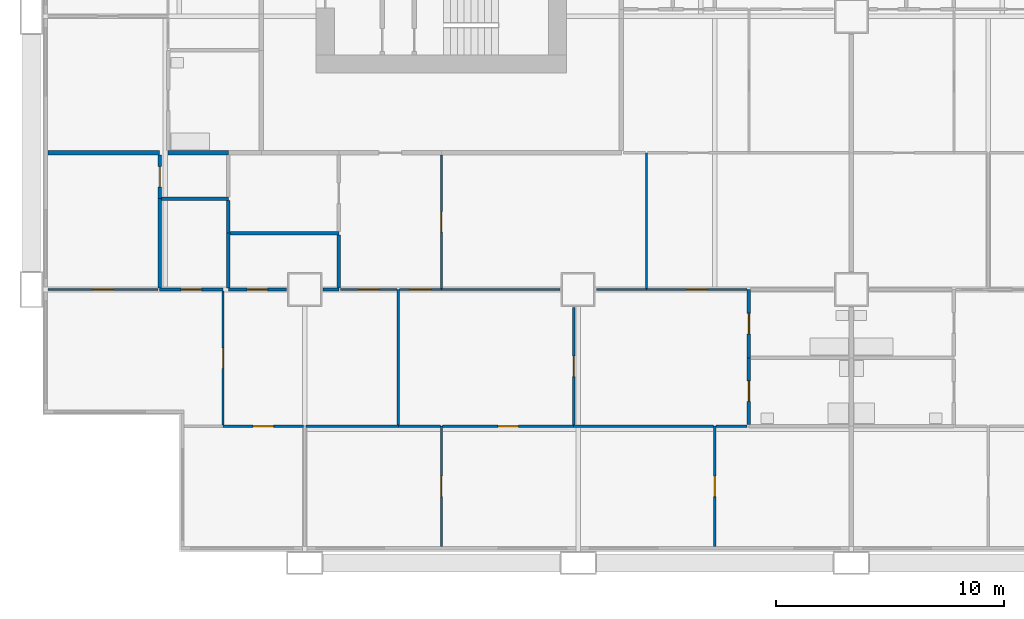
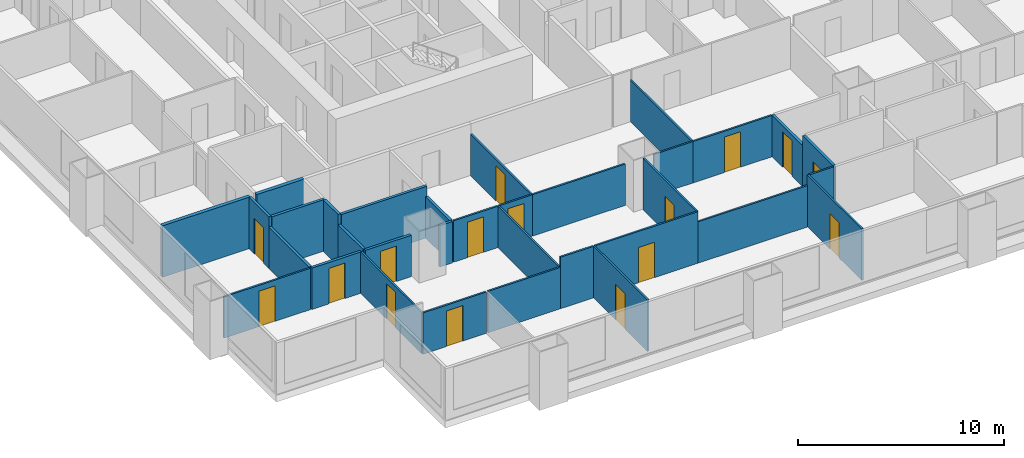
# One storey, part 2 of 14: 33 walls, 16 doors, 16 openings.
"""IFC4 building model written with IfcOpenShell, lengths in metres."""

from ifc_helpers import new_model, si_unit, direction, frame, frame_2d, origin, place, context, subcontext, project, spatial, rectangle, extrude, material, layer, layer_set, type_object, element, fill, save


model = new_model("IFC4")

# Units and contexts
model_context = context("Model", 3, precision=1e-05, world=origin(), true_north=direction((0.0, 1.0)))
body_context = subcontext(model_context, "Body", "Model", "MODEL_VIEW")
ifc_project = project(units=[si_unit("LENGTHUNIT", "METRE"), si_unit("AREAUNIT", "SQUARE_METRE"), si_unit("VOLUMEUNIT", "CUBIC_METRE"), si_unit("PLANEANGLEUNIT", "RADIAN"), si_unit("MASSUNIT", "GRAM", prefix="KILO")], contexts=[model_context])

# Site, building, storey
site_placement = place(None, origin())
site = spatial("IfcSite", under=ifc_project, at=site_placement, CompositionType="ELEMENT")
building_placement = place(site_placement, origin())
building = spatial("IfcBuilding", under=site, at=building_placement, Name="Kitamizu Gate Tower and Museum", CompositionType="ELEMENT")
storey_placement = place(building_placement, frame((0.0, 0.0, 61.050048828125)))
storey = spatial("IfcBuildingStorey", under=building, at=storey_placement, Name="L14", CompositionType="ELEMENT", Elevation=61.050048828125)

# Wall, opening, door
ifc_material_1 = material(Name="Gypsum board on galvanised stud")
ifc_layer_1 = layer(ifc_material_1, 0.10009765625)
ifc_layer_set_1 = layer_set([ifc_layer_1], Name="Gypsum board on galvanised stud")
wall_type_1 = type_object("IfcWallType", Name="Partition 100 NOT RATED", PredefinedType="PARTITIONING", material=ifc_layer_set_1)
wall_1_placement = place(storey_placement, frame((11.949951171875, 6.0, 0.0), z_axis=(0.0, 0.0, 1.0), x_axis=(-1.0, 0.0, 0.0)))
wall_1 = element("IfcWall", 1, at=wall_1_placement, inside=storey, type_object=wall_type_1, Name="Partition L14-003", PredefinedType="PARTITIONING", context=body_context, shape_type="SweptSolid", body=[
    extrude(rectangle(XDim=3.534912109375, YDim=0.10009765625, at=frame_2d((1.767578125, 0.0))), origin(), (0.0, 0.0, 1.0), 2.449951171875),
])
opening_1_placement = place(wall_1_placement, frame((1.3173828125, 0.0, 0.0)))
opening_1 = element("IfcOpeningElement", 2, at=opening_1_placement, cuts=wall_1, Name="Opening L14-008", PredefinedType="OPENING", context=body_context, shape_type="SweptSolid", body=[
    extrude(rectangle(XDim=0.89990234375, YDim=2.10009765625, at=frame_2d((0.449951171875, 1.050048828125))), frame((0.0, 0.06005859375, 0.0), z_axis=(0.0, -1.0, 0.0), x_axis=(1.0, 0.0, 0.0)), (0.0, 0.0, 1.0), 0.1201171875),
])
ifc_material_2 = material(Name="Timber door set", Category="wood")
door_type_1 = type_object("IfcDoorType", Name="Room door 900", OperationType="NOTDEFINED", PredefinedType="DOOR", material=ifc_material_2)
door_1_placement = place(opening_1_placement, origin())
door_1 = element("IfcDoor", 3, at=door_1_placement, inside=storey, type_object=door_type_1, Name="Door L14-008", OperationType="SINGLE_SWING_RIGHT", OverallHeight=2.10009765625, OverallWidth=0.89990234375, PredefinedType="DOOR", context=body_context, shape_type="SweptSolid", body=[
    extrude(rectangle(XDim=0.89990234375, YDim=2.10009765625, at=frame_2d((0.449951171875, 1.050048828125))), frame((0.0, 0.02490234375, 0.0), z_axis=(0.0, -1.0, 0.0), x_axis=(1.0, 0.0, 0.0)), (0.0, 0.0, 1.0), 0.050048828125),
])
fill(opening_1, door_1)

wall_2_placement = place(storey_placement, frame((18.0, 0.719970703125, 0.0), z_axis=(0.0, 0.0, 1.0), x_axis=(0.0, 1.0, 0.0)))
wall_2 = element("IfcWall", 4, at=wall_2_placement, inside=storey, type_object=wall_type_1, Name="Partition L14-004", PredefinedType="PARTITIONING", context=body_context, shape_type="SweptSolid", body=[
    extrude(rectangle(XDim=5.280029296875, YDim=0.10009765625, at=frame_2d((2.64013671875, 0.0))), origin(), (0.0, 0.0, 1.0), 3.050048828125),
])
opening_2_placement = place(wall_2_placement, frame((2.18994140625, 0.0, 0.0)))
opening_2 = element("IfcOpeningElement", 5, at=opening_2_placement, cuts=wall_2, Name="Opening L14-009", PredefinedType="OPENING", context=body_context, shape_type="SweptSolid", body=[
    extrude(rectangle(XDim=0.89990234375, YDim=2.10009765625, at=frame_2d((0.449951171875, 1.050048828125))), frame((0.0, 0.06005859375, 0.0), z_axis=(0.0, -1.0, 0.0), x_axis=(1.0, 0.0, 0.0)), (0.0, 0.0, 1.0), 0.1201171875),
])
door_2_placement = place(opening_2_placement, origin())
door_2 = element("IfcDoor", 6, at=door_2_placement, inside=storey, type_object=door_type_1, Name="Door L14-009", OperationType="SINGLE_SWING_LEFT", OverallHeight=2.10009765625, OverallWidth=0.89990234375, PredefinedType="DOOR", context=body_context, shape_type="SweptSolid", body=[
    extrude(rectangle(XDim=0.89990234375, YDim=2.10009765625, at=frame_2d((0.449951171875, 1.050048828125))), frame((0.0, 0.02490234375, 0.0), z_axis=(0.0, -1.0, 0.0), x_axis=(1.0, 0.0, 0.0)), (0.0, 0.0, 1.0), 0.050048828125),
])
fill(opening_2, door_2)

# Walls
wall_3_placement = place(storey_placement, frame((16.110107421875, 6.0, 0.0), z_axis=(0.0, 0.0, 1.0), x_axis=(-1.0, 0.0, 0.0)))
element("IfcWall", 7, at=wall_3_placement, inside=storey, type_object=wall_type_1, Name="Partition L14-005", PredefinedType="PARTITIONING", context=body_context, shape_type="SweptSolid", body=[
    extrude(rectangle(XDim=4.06005859375, YDim=0.10009765625, at=frame_2d((2.030029296875, 0.0))), origin(), (0.0, 0.0, 1.0), 2.449951171875),
])
wall_4_placement = place(storey_placement, frame((17.949951171875, 6.0, 0.0), z_axis=(0.0, 0.0, 1.0), x_axis=(-1.0, 0.0, 0.0)))
element("IfcWall", 8, at=wall_4_placement, inside=storey, type_object=wall_type_1, Name="Partition L14-006", PredefinedType="PARTITIONING", context=body_context, shape_type="SweptSolid", body=[
    extrude(rectangle(XDim=1.83984375, YDim=0.10009765625, at=frame_2d((0.919921875, 0.0))), origin(), (0.0, 0.0, 1.0), 3.050048828125),
])

# Wall, opening, door
wall_5_placement = place(storey_placement, frame((30.0, 0.719970703125, 0.0), z_axis=(0.0, 0.0, 1.0), x_axis=(0.0, 1.0, 0.0)))
wall_5 = element("IfcWall", 9, at=wall_5_placement, inside=storey, type_object=wall_type_1, Name="Partition L14-007", PredefinedType="PARTITIONING", context=body_context, shape_type="SweptSolid", body=[
    extrude(rectangle(XDim=5.280029296875, YDim=0.10009765625, at=frame_2d((2.64013671875, 0.0))), origin(), (0.0, 0.0, 1.0), 3.050048828125),
])
opening_3_placement = place(wall_5_placement, frame((2.18994140625, 0.0, 0.0)))
opening_3 = element("IfcOpeningElement", 10, at=opening_3_placement, cuts=wall_5, Name="Opening L14-010", PredefinedType="OPENING", context=body_context, shape_type="SweptSolid", body=[
    extrude(rectangle(XDim=0.89990234375, YDim=2.10009765625, at=frame_2d((0.449951171875, 1.050048828125))), frame((0.0, 0.06005859375, 0.0), z_axis=(0.0, -1.0, 0.0), x_axis=(1.0, 0.0, 0.0)), (0.0, 0.0, 1.0), 0.1201171875),
])
door_3_placement = place(opening_3_placement, frame((0.89990234375, 0.0, 0.0), x_axis=(-1.0, 0.0, 0.0)))
door_3 = element("IfcDoor", 11, at=door_3_placement, inside=storey, type_object=door_type_1, Name="Door L14-010", OperationType="SINGLE_SWING_LEFT", OverallHeight=2.10009765625, OverallWidth=0.89990234375, PredefinedType="DOOR", context=body_context, shape_type="SweptSolid", body=[
    extrude(rectangle(XDim=0.89990234375, YDim=2.10009765625, at=frame_2d((0.449951171875, 1.050048828125))), frame((0.0, 0.02490234375, 0.0), z_axis=(0.0, -1.0, 0.0), x_axis=(1.0, 0.0, 0.0)), (0.0, 0.0, 1.0), 0.050048828125),
])
fill(opening_3, door_3)

wall_6_placement = place(storey_placement, frame((23.804931640625, 6.0, 0.0), z_axis=(0.0, 0.0, 1.0), x_axis=(-1.0, 0.0, 0.0)))
wall_6 = element("IfcWall", 12, at=wall_6_placement, inside=storey, type_object=wall_type_1, Name="Partition L14-008", PredefinedType="PARTITIONING", context=body_context, shape_type="SweptSolid", body=[
    extrude(rectangle(XDim=5.7548828125, YDim=0.10009765625, at=frame_2d((2.87744140625, 0.0))), origin(), (0.0, 0.0, 1.0), 3.050048828125),
])
opening_4_placement = place(wall_6_placement, frame((2.427490234375, 0.0, 0.0)))
opening_4 = element("IfcOpeningElement", 13, at=opening_4_placement, cuts=wall_6, Name="Opening L14-005", PredefinedType="OPENING", context=body_context, shape_type="SweptSolid", body=[
    extrude(rectangle(XDim=0.89990234375, YDim=2.10009765625, at=frame_2d((0.449951171875, 1.050048828125))), frame((0.0, 0.06005859375, 0.0), z_axis=(0.0, -1.0, 0.0), x_axis=(1.0, 0.0, 0.0)), (0.0, 0.0, 1.0), 0.1201171875),
])
door_4_placement = place(opening_4_placement, frame((0.89990234375, 0.0, 0.0), x_axis=(-1.0, 0.0, 0.0)))
door_4 = element("IfcDoor", 14, at=door_4_placement, inside=storey, type_object=door_type_1, Name="Door L14-005", OperationType="SINGLE_SWING_LEFT", OverallHeight=2.10009765625, OverallWidth=0.89990234375, PredefinedType="DOOR", context=body_context, shape_type="SweptSolid", body=[
    extrude(rectangle(XDim=0.89990234375, YDim=2.10009765625, at=frame_2d((0.449951171875, 1.050048828125))), frame((0.0, 0.02490234375, 0.0), z_axis=(0.0, -1.0, 0.0), x_axis=(1.0, 0.0, 0.0)), (0.0, 0.0, 1.0), 0.050048828125),
])
fill(opening_4, door_4)

# Walls
wall_7_placement = place(storey_placement, frame((29.949951171875, 6.0, 0.0), z_axis=(0.0, 0.0, 1.0), x_axis=(-1.0, 0.0, 0.0)))
element("IfcWall", 15, at=wall_7_placement, inside=storey, type_object=wall_type_1, Name="Partition L14-009", PredefinedType="PARTITIONING", context=body_context, shape_type="SweptSolid", body=[
    extrude(rectangle(XDim=6.14501953125, YDim=0.10009765625, at=frame_2d((3.072509765625, 0.0))), origin(), (0.0, 0.0, 1.0), 2.449951171875),
])
wall_8_placement = place(storey_placement, frame((31.425048828125, 6.0, 0.0), z_axis=(0.0, 0.0, 1.0), x_axis=(-1.0, 0.0, 0.0)))
element("IfcWall", 16, at=wall_8_placement, inside=storey, type_object=wall_type_1, Name="Partition L14-010", PredefinedType="PARTITIONING", context=body_context, shape_type="SweptSolid", body=[
    extrude(rectangle(XDim=1.375, YDim=0.10009765625, at=frame_2d((0.6875, 0.0))), origin(), (0.0, 0.0, 1.0), 3.050048828125),
])

# Wall, opening, door
wall_9_placement = place(storey_placement, frame((8.4150390625, 6.050048828125, 0.0), z_axis=(0.0, 0.0, 1.0), x_axis=(0.0, 1.0, 0.0)))
wall_9 = element("IfcWall", 17, at=wall_9_placement, inside=storey, type_object=wall_type_1, Name="Partition L14-013", PredefinedType="PARTITIONING", context=body_context, shape_type="SweptSolid", body=[
    extrude(rectangle(XDim=5.875, YDim=0.10009765625, at=frame_2d((2.9375, 0.0))), origin(), (0.0, 0.0, 1.0), 2.449951171875),
])
opening_5_placement = place(wall_9_placement, frame((2.487548828125, 0.0, 0.0)))
opening_5 = element("IfcOpeningElement", 18, at=opening_5_placement, cuts=wall_9, Name="Opening L14-004", PredefinedType="OPENING", context=body_context, shape_type="SweptSolid", body=[
    extrude(rectangle(XDim=0.89990234375, YDim=2.10009765625, at=frame_2d((0.449951171875, 1.050048828125))), frame((0.0, 0.06005859375, 0.0), z_axis=(0.0, -1.0, 0.0), x_axis=(1.0, 0.0, 0.0)), (0.0, 0.0, 1.0), 0.1201171875),
])
door_5_placement = place(opening_5_placement, frame((0.89990234375, 0.0, 0.0), x_axis=(-1.0, 0.0, 0.0)))
door_5 = element("IfcDoor", 19, at=door_5_placement, inside=storey, type_object=door_type_1, Name="Door L14-004", OperationType="SINGLE_SWING_RIGHT", OverallHeight=2.10009765625, OverallWidth=0.89990234375, PredefinedType="DOOR", context=body_context, shape_type="SweptSolid", body=[
    extrude(rectangle(XDim=0.89990234375, YDim=2.10009765625, at=frame_2d((0.449951171875, 1.050048828125))), frame((0.0, 0.02490234375, 0.0), z_axis=(0.0, -1.0, 0.0), x_axis=(1.0, 0.0, 0.0)), (0.0, 0.0, 1.0), 0.050048828125),
])
fill(opening_5, door_5)

wall_10_placement = place(storey_placement, frame((5.55810546875, 12.0, 0.0), z_axis=(0.0, 0.0, 1.0), x_axis=(-1.0, 0.0, 0.0)))
wall_10 = element("IfcWall", 20, at=wall_10_placement, inside=storey, type_object=wall_type_1, Name="Partition L14-014", PredefinedType="PARTITIONING", context=body_context, shape_type="SweptSolid", body=[
    extrude(rectangle(XDim=4.838134765625, YDim=0.10009765625, at=frame_2d((2.4189453125, 0.0))), origin(), (0.0, 0.0, 1.0), 2.449951171875),
])
opening_6_placement = place(wall_10_placement, frame((1.968994140625, 0.0, 0.0)))
opening_6 = element("IfcOpeningElement", 21, at=opening_6_placement, cuts=wall_10, Name="Opening L14-012", PredefinedType="OPENING", context=body_context, shape_type="SweptSolid", body=[
    extrude(rectangle(XDim=0.89990234375, YDim=2.10009765625, at=frame_2d((0.449951171875, 1.050048828125))), frame((0.0, 0.06005859375, 0.0), z_axis=(0.0, -1.0, 0.0), x_axis=(1.0, 0.0, 0.0)), (0.0, 0.0, 1.0), 0.1201171875),
])
door_6_placement = place(opening_6_placement, frame((0.89990234375, 0.0, 0.0), x_axis=(-1.0, 0.0, 0.0)))
door_6 = element("IfcDoor", 22, at=door_6_placement, inside=storey, type_object=door_type_1, Name="Door L14-012", OperationType="SINGLE_SWING_LEFT", OverallHeight=2.10009765625, OverallWidth=0.89990234375, PredefinedType="DOOR", context=body_context, shape_type="SweptSolid", body=[
    extrude(rectangle(XDim=0.89990234375, YDim=2.10009765625, at=frame_2d((0.449951171875, 1.050048828125))), frame((0.0, 0.02490234375, 0.0), z_axis=(0.0, -1.0, 0.0), x_axis=(1.0, 0.0, 0.0)), (0.0, 0.0, 1.0), 0.050048828125),
])
fill(opening_6, door_6)

# Wall
wall_11_placement = place(storey_placement, frame((16.110107421875, 6.050048828125, 0.0), z_axis=(0.0, 0.0, 1.0), x_axis=(0.0, 1.0, 0.0)))
element("IfcWall", 23, at=wall_11_placement, inside=storey, type_object=wall_type_1, Name="Partition L14-016", PredefinedType="PARTITIONING", context=body_context, shape_type="SweptSolid", body=[
    extrude(rectangle(XDim=5.949951171875, YDim=0.10009765625, at=frame_2d((2.97509765625, 0.0))), origin(), (0.0, 0.0, 1.0), 2.449951171875),
])

# Wall, opening, door
wall_12_placement = place(storey_placement, frame((16.06005859375, 12.0, 0.0), z_axis=(0.0, 0.0, 1.0), x_axis=(-1.0, 0.0, 0.0)))
wall_12 = element("IfcWall", 24, at=wall_12_placement, inside=storey, type_object=wall_type_1, Name="Partition L14-019", PredefinedType="PARTITIONING", context=body_context, shape_type="SweptSolid", body=[
    extrude(rectangle(XDim=2.485107421875, YDim=0.10009765625, at=frame_2d((1.24267578125, 0.0))), origin(), (0.0, 0.0, 1.0), 2.449951171875),
])
opening_7_placement = place(wall_12_placement, frame((0.79248046875, 0.0, 0.0)))
opening_7 = element("IfcOpeningElement", 25, at=opening_7_placement, cuts=wall_12, Name="Opening L14-002", PredefinedType="OPENING", context=body_context, shape_type="SweptSolid", body=[
    extrude(rectangle(XDim=0.89990234375, YDim=2.10009765625, at=frame_2d((0.449951171875, 1.050048828125))), frame((0.0, 0.06005859375, 0.0), z_axis=(0.0, -1.0, 0.0), x_axis=(1.0, 0.0, 0.0)), (0.0, 0.0, 1.0), 0.1201171875),
])
door_7_placement = place(opening_7_placement, origin())
door_7 = element("IfcDoor", 26, at=door_7_placement, inside=storey, type_object=door_type_1, Name="Door L14-002", OperationType="SINGLE_SWING_RIGHT", OverallHeight=2.10009765625, OverallWidth=0.89990234375, PredefinedType="DOOR", context=body_context, shape_type="SweptSolid", body=[
    extrude(rectangle(XDim=0.89990234375, YDim=2.10009765625, at=frame_2d((0.449951171875, 1.050048828125))), frame((0.0, 0.02490234375, 0.0), z_axis=(0.0, -1.0, 0.0), x_axis=(1.0, 0.0, 0.0)), (0.0, 0.0, 1.0), 0.050048828125),
])
fill(opening_7, door_7)

wall_13_placement = place(storey_placement, frame((23.804931640625, 6.050048828125, 0.0), z_axis=(0.0, 0.0, 1.0), x_axis=(0.0, 1.0, 0.0)))
wall_13 = element("IfcWall", 27, at=wall_13_placement, inside=storey, type_object=wall_type_1, Name="Partition L14-020", PredefinedType="PARTITIONING", context=body_context, shape_type="SweptSolid", body=[
    extrude(rectangle(XDim=5.14990234375, YDim=0.10009765625, at=frame_2d((2.574951171875, 0.0))), origin(), (0.0, 0.0, 1.0), 3.050048828125),
])
opening_8_placement = place(wall_13_placement, frame((2.125, 0.0, 0.0)))
opening_8 = element("IfcOpeningElement", 28, at=opening_8_placement, cuts=wall_13, Name="Opening L14-006", PredefinedType="OPENING", context=body_context, shape_type="SweptSolid", body=[
    extrude(rectangle(XDim=0.89990234375, YDim=2.10009765625, at=frame_2d((0.449951171875, 1.050048828125))), frame((0.0, 0.06005859375, 0.0), z_axis=(0.0, -1.0, 0.0), x_axis=(1.0, 0.0, 0.0)), (0.0, 0.0, 1.0), 0.1201171875),
])
door_8_placement = place(opening_8_placement, frame((0.89990234375, 0.0, 0.0), x_axis=(-1.0, 0.0, 0.0)))
door_8 = element("IfcDoor", 29, at=door_8_placement, inside=storey, type_object=door_type_1, Name="Door L14-006", OperationType="SINGLE_SWING_RIGHT", OverallHeight=2.10009765625, OverallWidth=0.89990234375, PredefinedType="DOOR", context=body_context, shape_type="SweptSolid", body=[
    extrude(rectangle(XDim=0.89990234375, YDim=2.10009765625, at=frame_2d((0.449951171875, 1.050048828125))), frame((0.0, 0.02490234375, 0.0), z_axis=(0.0, -1.0, 0.0), x_axis=(1.0, 0.0, 0.0)), (0.0, 0.0, 1.0), 0.050048828125),
])
fill(opening_8, door_8)

wall_14_placement = place(storey_placement, frame((18.0, 12.0, 0.0), z_axis=(0.0, 0.0, 1.0), x_axis=(-1.0, 0.0, 0.0)))
wall_14 = element("IfcWall", 30, at=wall_14_placement, inside=storey, type_object=wall_type_1, Name="Partition L14-021", PredefinedType="PARTITIONING", context=body_context, shape_type="SweptSolid", body=[
    extrude(rectangle(XDim=1.840087890625, YDim=0.10009765625, at=frame_2d((0.919921875, 0.0))), origin(), (0.0, 0.0, 1.0), 2.449951171875),
])
opening_9_placement = place(wall_14_placement, frame((0.469970703125, 0.0, 0.0)))
opening_9 = element("IfcOpeningElement", 31, at=opening_9_placement, cuts=wall_14, Name="Opening L14-003", PredefinedType="OPENING", context=body_context, shape_type="SweptSolid", body=[
    extrude(rectangle(XDim=0.89990234375, YDim=2.10009765625, at=frame_2d((0.449951171875, 1.050048828125))), frame((0.0, 0.06005859375, 0.0), z_axis=(0.0, -1.0, 0.0), x_axis=(1.0, 0.0, 0.0)), (0.0, 0.0, 1.0), 0.1201171875),
])
door_9_placement = place(opening_9_placement, origin())
door_9 = element("IfcDoor", 32, at=door_9_placement, inside=storey, type_object=door_type_1, Name="Door L14-003", OperationType="SINGLE_SWING_LEFT", OverallHeight=2.10009765625, OverallWidth=0.89990234375, PredefinedType="DOOR", context=body_context, shape_type="SweptSolid", body=[
    extrude(rectangle(XDim=0.89990234375, YDim=2.10009765625, at=frame_2d((0.449951171875, 1.050048828125))), frame((0.0, 0.02490234375, 0.0), z_axis=(0.0, -1.0, 0.0), x_axis=(1.0, 0.0, 0.0)), (0.0, 0.0, 1.0), 0.050048828125),
])
fill(opening_9, door_9)

# Walls
wall_15_placement = place(storey_placement, frame((23.199951171875, 12.0, 0.0), z_axis=(0.0, 0.0, 1.0), x_axis=(-1.0, 0.0, 0.0)))
element("IfcWall", 33, at=wall_15_placement, inside=storey, type_object=wall_type_1, Name="Partition L14-022", PredefinedType="PARTITIONING", context=body_context, shape_type="SweptSolid", body=[
    extrude(rectangle(XDim=5.199951171875, YDim=0.10009765625, at=frame_2d((2.60009765625, 0.0))), origin(), (0.0, 0.0, 1.0), 2.449951171875),
])
wall_16_placement = place(storey_placement, frame((27.0, 12.0, 0.0), z_axis=(0.0, 0.0, 1.0), x_axis=(-1.0, 0.0, 0.0)))
element("IfcWall", 34, at=wall_16_placement, inside=storey, type_object=wall_type_1, Name="Partition L14-025", PredefinedType="PARTITIONING", context=body_context, shape_type="SweptSolid", body=[
    extrude(rectangle(XDim=2.199951171875, YDim=0.10009765625, at=frame_2d((1.10009765625, 0.0))), origin(), (0.0, 0.0, 1.0), 2.449951171875),
])

# Wall, opening, door
wall_17_placement = place(storey_placement, frame((31.425048828125, 12.0, 0.0), z_axis=(0.0, 0.0, 1.0), x_axis=(-1.0, 0.0, 0.0)))
wall_17 = element("IfcWall", 35, at=wall_17_placement, inside=storey, type_object=wall_type_1, Name="Partition L14-026", PredefinedType="PARTITIONING", context=body_context, shape_type="SweptSolid", body=[
    extrude(rectangle(XDim=4.425048828125, YDim=0.10009765625, at=frame_2d((2.21240234375, 0.0))), origin(), (0.0, 0.0, 1.0), 2.449951171875),
])
opening_10_placement = place(wall_17_placement, frame((1.762451171875, 0.0, 0.0)))
opening_10 = element("IfcOpeningElement", 36, at=opening_10_placement, cuts=wall_17, Name="Opening L14-017", PredefinedType="OPENING", context=body_context, shape_type="SweptSolid", body=[
    extrude(rectangle(XDim=0.89990234375, YDim=2.10009765625, at=frame_2d((0.449951171875, 1.050048828125))), frame((0.0, 0.06005859375, 0.0), z_axis=(0.0, -1.0, 0.0), x_axis=(1.0, 0.0, 0.0)), (0.0, 0.0, 1.0), 0.1201171875),
])
door_10_placement = place(opening_10_placement, origin())
door_10 = element("IfcDoor", 37, at=door_10_placement, inside=storey, type_object=door_type_1, Name="Door L14-017", OperationType="SINGLE_SWING_LEFT", OverallHeight=2.10009765625, OverallWidth=0.89990234375, PredefinedType="DOOR", context=body_context, shape_type="SweptSolid", body=[
    extrude(rectangle(XDim=0.89990234375, YDim=2.10009765625, at=frame_2d((0.449951171875, 1.050048828125))), frame((0.0, 0.02490234375, 0.0), z_axis=(0.0, -1.0, 0.0), x_axis=(1.0, 0.0, 0.0)), (0.0, 0.0, 1.0), 0.050048828125),
])
fill(opening_10, door_10)

wall_18_placement = place(storey_placement, frame((18.0, 12.050048828125, 0.0), z_axis=(0.0, 0.0, 1.0), x_axis=(0.0, 1.0, 0.0)))
wall_18 = element("IfcWall", 38, at=wall_18_placement, inside=storey, type_object=wall_type_1, Name="Partition L14-044", PredefinedType="PARTITIONING", context=body_context, shape_type="SweptSolid", body=[
    extrude(rectangle(XDim=5.849853515625, YDim=0.10009765625, at=frame_2d((2.9248046875, 0.0))), origin(), (0.0, 0.0, 1.0), 2.449951171875),
])
opening_11_placement = place(wall_18_placement, frame((2.47509765625, 0.0, 0.0)))
opening_11 = element("IfcOpeningElement", 39, at=opening_11_placement, cuts=wall_18, Name="Opening L14-016", PredefinedType="OPENING", context=body_context, shape_type="SweptSolid", body=[
    extrude(rectangle(XDim=0.89990234375, YDim=2.10009765625, at=frame_2d((0.449951171875, 1.050048828125))), frame((0.0, 0.06005859375, 0.0), z_axis=(0.0, -1.0, 0.0), x_axis=(1.0, 0.0, 0.0)), (0.0, 0.0, 1.0), 0.1201171875),
])
door_11_placement = place(opening_11_placement, frame((0.89990234375, 0.0, 0.0), x_axis=(-1.0, 0.0, 0.0)))
door_11 = element("IfcDoor", 40, at=door_11_placement, inside=storey, type_object=door_type_1, Name="Door L14-016", OperationType="SINGLE_SWING_LEFT", OverallHeight=2.10009765625, OverallWidth=0.89990234375, PredefinedType="DOOR", context=body_context, shape_type="SweptSolid", body=[
    extrude(rectangle(XDim=0.89990234375, YDim=2.10009765625, at=frame_2d((0.449951171875, 1.050048828125))), frame((0.0, 0.02490234375, 0.0), z_axis=(0.0, -1.0, 0.0), x_axis=(1.0, 0.0, 0.0)), (0.0, 0.0, 1.0), 0.050048828125),
])
fill(opening_11, door_11)

# Wall
wall_19_placement = place(storey_placement, frame((27.0, 12.050048828125, 0.0), z_axis=(0.0, 0.0, 1.0), x_axis=(0.0, 1.0, 0.0)))
element("IfcWall", 41, at=wall_19_placement, inside=storey, type_object=wall_type_1, Name="Partition L14-046", PredefinedType="PARTITIONING", context=body_context, shape_type="SweptSolid", body=[
    extrude(rectangle(XDim=5.949951171875, YDim=0.10009765625, at=frame_2d((2.97509765625, 0.0))), origin(), (0.0, 0.0, 1.0), 2.449951171875),
])

# Wall, opening, door
ifc_material_3 = material(Name="Gypsum board on galvanised stud")
ifc_layer_2 = layer(ifc_material_3, 0.14990234375)
ifc_layer_set_2 = layer_set([ifc_layer_2], Name="Gypsum board on galvanised stud")
wall_type_2 = type_object("IfcWallType", Name="Partition 150", PredefinedType="PARTITIONING", material=ifc_layer_set_2)
wall_20_placement = place(storey_placement, frame((8.4150390625, 12.0, 0.0), z_axis=(0.0, 0.0, 1.0), x_axis=(-1.0, 0.0, 0.0)))
wall_20 = element("IfcWall", 42, at=wall_20_placement, inside=storey, type_object=wall_type_2, Name="Partition L14-015", PredefinedType="PARTITIONING", context=body_context, shape_type="SweptSolid", body=[
    extrude(rectangle(XDim=2.781982421875, YDim=0.14990234375, at=frame_2d((1.39111328125, 0.0))), origin(), (0.0, 0.0, 1.0), 2.449951171875),
])
opening_12_placement = place(wall_20_placement, frame((0.94091796875, 0.0, 0.0)))
opening_12 = element("IfcOpeningElement", 43, at=opening_12_placement, cuts=wall_20, Name="Opening L14-013", PredefinedType="OPENING", context=body_context, shape_type="SweptSolid", body=[
    extrude(rectangle(XDim=0.89990234375, YDim=2.10009765625, at=frame_2d((0.449951171875, 1.050048828125))), frame((0.0, 0.0849609375, 0.0), z_axis=(0.0, -1.0, 0.0), x_axis=(1.0, 0.0, 0.0)), (0.0, 0.0, 1.0), 0.169921875),
])
ifc_material_4 = material(Name="Timber door set", Category="wood")
door_type_2 = type_object("IfcDoorType", Name="Bathroom door 900", OperationType="NOTDEFINED", PredefinedType="DOOR", material=ifc_material_4)
door_12_placement = place(opening_12_placement, frame((0.89990234375, 0.0, 0.0), x_axis=(-1.0, 0.0, 0.0)))
door_12 = element("IfcDoor", 44, at=door_12_placement, inside=storey, type_object=door_type_2, Name="Bathroom door L14-013", OperationType="SINGLE_SWING_RIGHT", OverallHeight=2.10009765625, OverallWidth=0.89990234375, PredefinedType="DOOR", context=body_context, shape_type="SweptSolid", body=[
    extrude(rectangle(XDim=0.89990234375, YDim=2.10009765625, at=frame_2d((0.449951171875, 1.050048828125))), frame((0.0, 0.02490234375, 0.0), z_axis=(0.0, -1.0, 0.0), x_axis=(1.0, 0.0, 0.0)), (0.0, 0.0, 1.0), 0.050048828125),
])
fill(opening_12, door_12)

wall_21_placement = place(storey_placement, frame((11.199951171875, 12.0, 0.0), z_axis=(0.0, 0.0, 1.0), x_axis=(-1.0, 0.0, 0.0)))
wall_21 = element("IfcWall", 45, at=wall_21_placement, inside=storey, type_object=wall_type_2, Name="Partition L14-017", PredefinedType="PARTITIONING", context=body_context, shape_type="SweptSolid", body=[
    extrude(rectangle(XDim=2.555908203125, YDim=0.14990234375, at=frame_2d((1.27783203125, 0.0))), origin(), (0.0, 0.0, 1.0), 2.449951171875),
])
opening_13_placement = place(wall_21_placement, frame((0.827880859375, 0.0, 0.0)))
opening_13 = element("IfcOpeningElement", 46, at=opening_13_placement, cuts=wall_21, Name="Opening L14-014", PredefinedType="OPENING", context=body_context, shape_type="SweptSolid", body=[
    extrude(rectangle(XDim=0.89990234375, YDim=2.10009765625, at=frame_2d((0.449951171875, 1.050048828125))), frame((0.0, 0.0849609375, 0.0), z_axis=(0.0, -1.0, 0.0), x_axis=(1.0, 0.0, 0.0)), (0.0, 0.0, 1.0), 0.169921875),
])
door_13_placement = place(opening_13_placement, frame((0.89990234375, 0.0, 0.0), x_axis=(-1.0, 0.0, 0.0)))
door_13 = element("IfcDoor", 47, at=door_13_placement, inside=storey, type_object=door_type_2, Name="Bathroom door L14-014", OperationType="SINGLE_SWING_LEFT", OverallHeight=2.10009765625, OverallWidth=0.89990234375, PredefinedType="DOOR", context=body_context, shape_type="SweptSolid", body=[
    extrude(rectangle(XDim=0.89990234375, YDim=2.10009765625, at=frame_2d((0.449951171875, 1.050048828125))), frame((0.0, 0.02490234375, 0.0), z_axis=(0.0, -1.0, 0.0), x_axis=(1.0, 0.0, 0.0)), (0.0, 0.0, 1.0), 0.050048828125),
])
fill(opening_13, door_13)

# Wall
wall_22_placement = place(storey_placement, frame((13.5, 12.0, 0.0), z_axis=(0.0, 0.0, 1.0), x_axis=(-1.0, 0.0, 0.0)))
element("IfcWall", 48, at=wall_22_placement, inside=storey, type_object=wall_type_2, Name="Partition L14-018", PredefinedType="PARTITIONING", context=body_context, shape_type="SweptSolid", body=[
    extrude(rectangle(XDim=0.699951171875, YDim=0.14990234375, at=frame_2d((0.35009765625, 0.0))), origin(), (0.0, 0.0, 1.0), 2.449951171875),
])

# Wall, opening, door
wall_23_placement = place(storey_placement, frame((31.5, 6.074951171875, 0.0), z_axis=(0.0, 0.0, 1.0), x_axis=(0.0, 1.0, 0.0)))
wall_23 = element("IfcWall", 49, at=wall_23_placement, inside=storey, type_object=wall_type_2, Name="Partition L14-023", PredefinedType="PARTITIONING", context=body_context, shape_type="SweptSolid", body=[
    extrude(rectangle(XDim=2.925048828125, YDim=0.14990234375, at=frame_2d((1.46240234375, 0.0))), origin(), (0.0, 0.0, 1.0), 3.050048828125),
])
opening_14_placement = place(wall_23_placement, frame((1.012451171875, 0.0, 0.0)))
opening_14 = element("IfcOpeningElement", 50, at=opening_14_placement, cuts=wall_23, Name="Opening L14-007", PredefinedType="OPENING", context=body_context, shape_type="SweptSolid", body=[
    extrude(rectangle(XDim=0.89990234375, YDim=2.10009765625, at=frame_2d((0.449951171875, 1.050048828125))), frame((0.0, 0.0849609375, 0.0), z_axis=(0.0, -1.0, 0.0), x_axis=(1.0, 0.0, 0.0)), (0.0, 0.0, 1.0), 0.169921875),
])
door_14_placement = place(opening_14_placement, frame((0.89990234375, 0.0, 0.0), x_axis=(-1.0, 0.0, 0.0)))
door_14 = element("IfcDoor", 51, at=door_14_placement, inside=storey, type_object=door_type_2, Name="Bathroom door L14-007", OperationType="SINGLE_SWING_LEFT", OverallHeight=2.10009765625, OverallWidth=0.89990234375, PredefinedType="DOOR", context=body_context, shape_type="SweptSolid", body=[
    extrude(rectangle(XDim=0.89990234375, YDim=2.10009765625, at=frame_2d((0.449951171875, 1.050048828125))), frame((0.0, 0.02490234375, 0.0), z_axis=(0.0, -1.0, 0.0), x_axis=(1.0, 0.0, 0.0)), (0.0, 0.0, 1.0), 0.050048828125),
])
fill(opening_14, door_14)

wall_24_placement = place(storey_placement, frame((31.5, 9.0, 0.0), z_axis=(0.0, 0.0, 1.0), x_axis=(0.0, 1.0, 0.0)))
wall_24 = element("IfcWall", 52, at=wall_24_placement, inside=storey, type_object=wall_type_2, Name="Partition L14-024", PredefinedType="PARTITIONING", context=body_context, shape_type="SweptSolid", body=[
    extrude(rectangle(XDim=3.0, YDim=0.14990234375, at=frame_2d((1.5, 0.0))), origin(), (0.0, 0.0, 1.0), 2.449951171875),
])
opening_15_placement = place(wall_24_placement, frame((1.050048828125, 0.0, 0.0)))
opening_15 = element("IfcOpeningElement", 53, at=opening_15_placement, cuts=wall_24, Name="Opening L14-011", PredefinedType="OPENING", context=body_context, shape_type="SweptSolid", body=[
    extrude(rectangle(XDim=0.89990234375, YDim=2.10009765625, at=frame_2d((0.449951171875, 1.050048828125))), frame((0.0, 0.0849609375, 0.0), z_axis=(0.0, -1.0, 0.0), x_axis=(1.0, 0.0, 0.0)), (0.0, 0.0, 1.0), 0.169921875),
])
door_15_placement = place(opening_15_placement, frame((0.89990234375, 0.0, 0.0), x_axis=(-1.0, 0.0, 0.0)))
door_15 = element("IfcDoor", 54, at=door_15_placement, inside=storey, type_object=door_type_2, Name="Bathroom door L14-011", OperationType="SINGLE_SWING_RIGHT", OverallHeight=2.10009765625, OverallWidth=0.89990234375, PredefinedType="DOOR", context=body_context, shape_type="SweptSolid", body=[
    extrude(rectangle(XDim=0.89990234375, YDim=2.10009765625, at=frame_2d((0.449951171875, 1.050048828125))), frame((0.0, 0.02490234375, 0.0), z_axis=(0.0, -1.0, 0.0), x_axis=(1.0, 0.0, 0.0)), (0.0, 0.0, 1.0), 0.050048828125),
])
fill(opening_15, door_15)

# Wall
wall_25_placement = place(storey_placement, frame((5.633056640625, 12.074951171875, 0.0), z_axis=(0.0, 0.0, 1.0), x_axis=(0.0, 1.0, 0.0)))
element("IfcWall", 55, at=wall_25_placement, inside=storey, type_object=wall_type_2, Name="Partition L14-031", PredefinedType="PARTITIONING", context=body_context, shape_type="SweptSolid", body=[
    extrude(rectangle(XDim=3.91015625, YDim=0.14990234375, at=frame_2d((1.955078125, 0.0))), origin(), (0.0, 0.0, 1.0), 2.449951171875),
])

# Wall, opening, door
wall_26_placement = place(storey_placement, frame((5.633056640625, 15.985107421875, 0.0), z_axis=(0.0, 0.0, 1.0), x_axis=(0.0, 1.0, 0.0)))
wall_26 = element("IfcWall", 56, at=wall_26_placement, inside=storey, type_object=wall_type_2, Name="Partition L14-032", PredefinedType="PARTITIONING", context=body_context, shape_type="SweptSolid", body=[
    extrude(rectangle(XDim=1.914794921875, YDim=0.14990234375, at=frame_2d((0.95751953125, 0.0))), origin(), (0.0, 0.0, 1.0), 3.050048828125),
])
opening_16_placement = place(wall_26_placement, frame((0.507568359375, 0.0, 0.0)))
opening_16 = element("IfcOpeningElement", 57, at=opening_16_placement, cuts=wall_26, Name="Opening L14-018", PredefinedType="OPENING", context=body_context, shape_type="SweptSolid", body=[
    extrude(rectangle(XDim=0.89990234375, YDim=2.10009765625, at=frame_2d((0.449951171875, 1.050048828125))), frame((0.0, 0.0849609375, 0.0), z_axis=(0.0, -1.0, 0.0), x_axis=(1.0, 0.0, 0.0)), (0.0, 0.0, 1.0), 0.169921875),
])
door_16_placement = place(opening_16_placement, frame((0.89990234375, 0.0, 0.0), x_axis=(-1.0, 0.0, 0.0)))
door_16 = element("IfcDoor", 58, at=door_16_placement, inside=storey, type_object=door_type_2, Name="Bathroom door L14-018", OperationType="SINGLE_SWING_LEFT", OverallHeight=2.10009765625, OverallWidth=0.89990234375, PredefinedType="DOOR", context=body_context, shape_type="SweptSolid", body=[
    extrude(rectangle(XDim=0.89990234375, YDim=2.10009765625, at=frame_2d((0.449951171875, 1.050048828125))), frame((0.0, 0.02490234375, 0.0), z_axis=(0.0, -1.0, 0.0), x_axis=(1.0, 0.0, 0.0)), (0.0, 0.0, 1.0), 0.050048828125),
])
fill(opening_16, door_16)

# Walls
wall_27_placement = place(storey_placement, frame((8.64404296875, 15.985107421875, 0.0), z_axis=(0.0, 0.0, 1.0), x_axis=(-1.0, 0.0, 0.0)))
element("IfcWall", 59, at=wall_27_placement, inside=storey, type_object=wall_type_2, Name="Partition L14-034", PredefinedType="PARTITIONING", context=body_context, shape_type="SweptSolid", body=[
    extrude(rectangle(XDim=2.93603515625, YDim=0.14990234375, at=frame_2d((1.468017578125, 0.0))), origin(), (0.0, 0.0, 1.0), 3.050048828125),
])
wall_28_placement = place(storey_placement, frame((8.64404296875, 12.074951171875, 0.0), z_axis=(0.0, 0.0, 1.0), x_axis=(0.0, 1.0, 0.0)))
element("IfcWall", 60, at=wall_28_placement, inside=storey, type_object=wall_type_2, Name="Partition L14-035", PredefinedType="PARTITIONING", context=body_context, shape_type="SweptSolid", body=[
    extrude(rectangle(XDim=2.39599609375, YDim=0.14990234375, at=frame_2d((1.197998046875, 0.0))), origin(), (0.0, 0.0, 1.0), 2.449951171875),
])
wall_29_placement = place(storey_placement, frame((8.64404296875, 14.470947265625, 0.0), z_axis=(0.0, 0.0, 1.0), x_axis=(0.0, 1.0, 0.0)))
element("IfcWall", 61, at=wall_29_placement, inside=storey, type_object=wall_type_2, Name="Partition L14-036", PredefinedType="PARTITIONING", context=body_context, shape_type="SweptSolid", body=[
    extrude(rectangle(XDim=1.43896484375, YDim=0.14990234375, at=frame_2d((0.719482421875, 0.0))), origin(), (0.0, 0.0, 1.0), 3.050048828125),
])
wall_30_placement = place(storey_placement, frame((13.5, 14.470947265625, 0.0), z_axis=(0.0, 0.0, 1.0), x_axis=(-1.0, 0.0, 0.0)))
element("IfcWall", 62, at=wall_30_placement, inside=storey, type_object=wall_type_2, Name="Partition L14-039", PredefinedType="PARTITIONING", context=body_context, shape_type="SweptSolid", body=[
    extrude(rectangle(XDim=4.781005859375, YDim=0.14990234375, at=frame_2d((2.390625, 0.0))), origin(), (0.0, 0.0, 1.0), 3.050048828125),
])
wall_31_placement = place(storey_placement, frame((13.5, 12.074951171875, 0.0), z_axis=(0.0, 0.0, 1.0), x_axis=(0.0, 1.0, 0.0)))
element("IfcWall", 63, at=wall_31_placement, inside=storey, type_object=wall_type_2, Name="Partition L14-040", PredefinedType="PARTITIONING", context=body_context, shape_type="SweptSolid", body=[
    extrude(rectangle(XDim=2.321044921875, YDim=0.14990234375, at=frame_2d((1.16064453125, 0.0))), origin(), (0.0, 0.0, 1.0), 2.449951171875),
])
ifc_material_5 = material(Name="Gypsum board on galvanised stud")
ifc_layer_3 = layer(ifc_material_5, 0.199951171875)
ifc_layer_set_3 = layer_set([ifc_layer_3], Name="Gypsum board on galvanised stud")
wall_type_3 = type_object("IfcWallType", Name="Partition 200", PredefinedType="PARTITIONING", material=ifc_layer_set_3)
wall_32_placement = place(storey_placement, frame((5.633056640625, 18.0, 0.0), z_axis=(0.0, 0.0, 1.0), x_axis=(-1.0, 0.0, 0.0)))
element("IfcWall", 64, at=wall_32_placement, inside=storey, type_object=wall_type_3, Name="Partition L14-033", PredefinedType="PARTITIONING", context=body_context, shape_type="SweptSolid", body=[
    extrude(rectangle(XDim=4.9130859375, YDim=0.199951171875, at=frame_2d((2.45654296875, 0.0))), origin(), (0.0, 0.0, 1.0), 3.050048828125),
])
wall_33_placement = place(storey_placement, frame((8.64404296875, 18.0, 0.0), z_axis=(0.0, 0.0, 1.0), x_axis=(-1.0, 0.0, 0.0)))
element("IfcWall", 65, at=wall_33_placement, inside=storey, type_object=wall_type_3, Name="Partition L14-038", PredefinedType="PARTITIONING", context=body_context, shape_type="SweptSolid", body=[
    extrude(rectangle(XDim=2.64404296875, YDim=0.199951171875, at=frame_2d((1.322021484375, 0.0))), origin(), (0.0, 0.0, 1.0), 3.050048828125),
])

save(model, "model.ifc")
